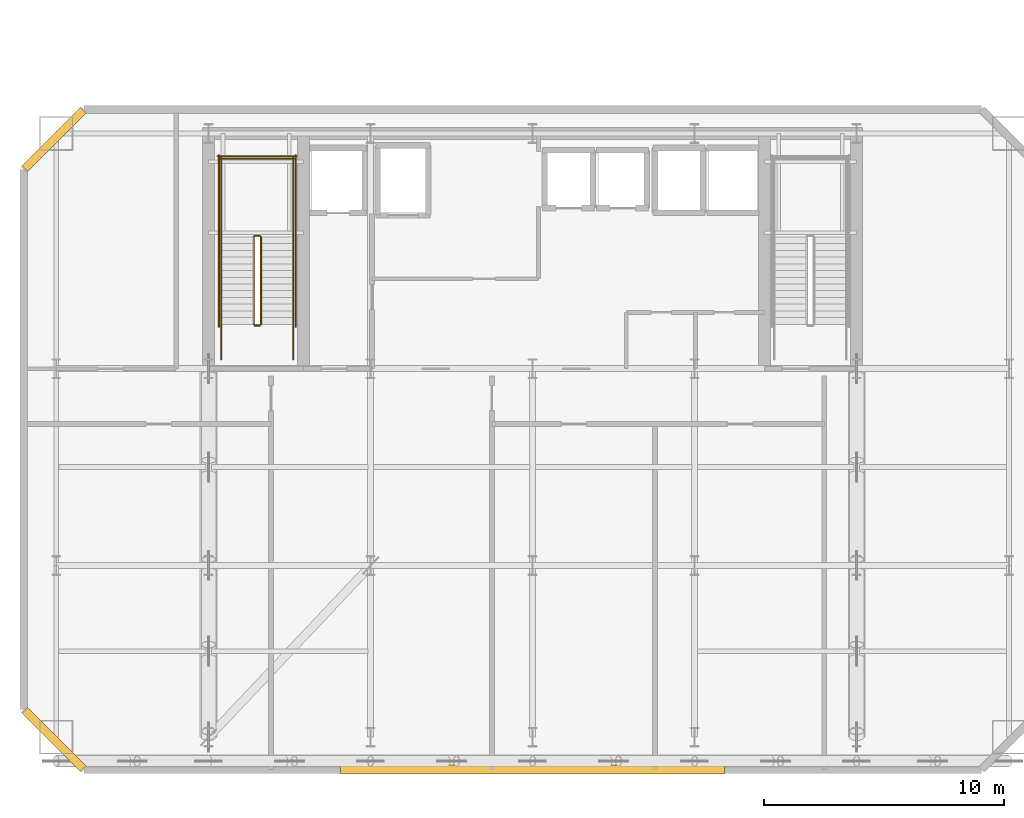
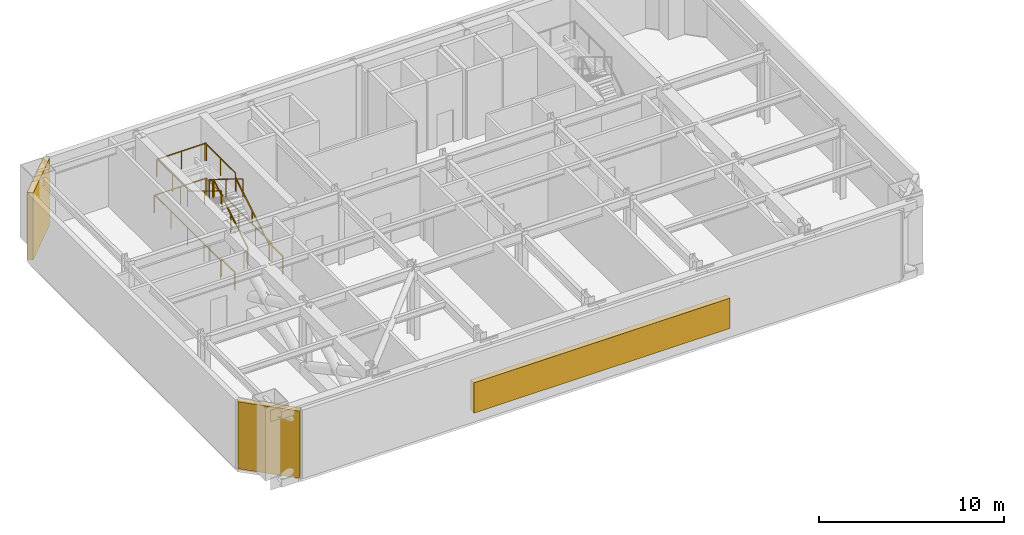
# One storey, part 12 of 15: 14 railings, 3 shading devices.
"""IFC4 building model written with IfcOpenShell, lengths in metres."""

from ifc_helpers import new_model, si_unit, direction, frame, origin, origin_2d, place, context, subcontext, project, spatial, rectangle, extrude, material, layer, layer_set, type_object, element, save


model = new_model("IFC4")

# Units and contexts
model_context = context("Model", 3, precision=1e-05, world=origin(), true_north=direction((0.0, 1.0)))
body_context = subcontext(model_context, "Body", "Model", "MODEL_VIEW")
ifc_project = project(units=[si_unit("LENGTHUNIT", "METRE"), si_unit("AREAUNIT", "SQUARE_METRE"), si_unit("VOLUMEUNIT", "CUBIC_METRE"), si_unit("PLANEANGLEUNIT", "RADIAN"), si_unit("MASSUNIT", "GRAM", prefix="KILO")], contexts=[model_context])

# Site, building, storey
site_placement = place(None, origin())
site = spatial("IfcSite", under=ifc_project, at=site_placement, CompositionType="ELEMENT")
building_placement = place(site_placement, origin())
building = spatial("IfcBuilding", under=site, at=building_placement, Name="Haevon Station Towers", CompositionType="ELEMENT")
storey_placement = place(building_placement, frame((0.0, 0.0, 138.0)))
storey = spatial("IfcBuildingStorey", under=building, at=storey_placement, Name="L37", CompositionType="ELEMENT", Elevation=138.0)

# Railings
ifc_material_1 = material(Name="Steel S355", Category="steel")
railing_type_1 = type_object("IfcRailingType", Name="GRD-STR1200", PredefinedType="GUARDRAIL", material=ifc_material_1)
railing_1_placement = place(storey_placement, frame((26.179931640625, 40.050048828125, 0.17138671875)))
element("IfcRailing", 1, at=railing_1_placement, inside=storey, type_object=railing_type_1, Name="L37 ST1 Stair Guard 1", PredefinedType="GUARDRAIL", context=body_context, shape_type="SweptSolid", body=[
    extrude(rectangle(XDim=0.048095703125, YDim=0.048095703125, at=origin_2d()), frame((0.0, 0.0, 1.17578125), z_axis=(0.0, 0.852850264322, 0.5221555579), x_axis=(-1.0, 0.0, 0.0)), (0.0, 0.0, 1.0), 4.267822265625),
    extrude(rectangle(XDim=0.0419921875, YDim=0.0419921875, at=origin_2d()), origin(), (0.0, 0.0, 1.0), 1.15185546875),
    extrude(rectangle(XDim=0.0419921875, YDim=0.0419921875, at=origin_2d()), frame((0.0, 1.81982421875, 1.1142578125)), (0.0, 0.0, 1.0), 1.15185546875),
    extrude(rectangle(XDim=0.0419921875, YDim=0.0419921875, at=origin_2d()), frame((0.0, 3.639892578125, 2.228515625)), (0.0, 0.0, 1.0), 1.15185546875),
])
railing_2_placement = place(storey_placement, frame((26.1298828125, 43.739990234375, 2.39990234375)))
element("IfcRailing", 2, at=railing_2_placement, inside=storey, type_object=railing_type_1, Name="L37 ST1 Stair Guard 2", PredefinedType="GUARDRAIL", context=body_context, shape_type="SweptSolid", body=[
    extrude(rectangle(XDim=0.048095703125, YDim=0.048095703125, at=origin_2d()), frame((0.0, 0.0, 1.17578125), z_axis=(-1.0, 0.0, 0.0), x_axis=(0.0, -1.0, 0.0)), (0.0, 0.0, 1.0), 0.199951171875),
    extrude(rectangle(XDim=0.0419921875, YDim=0.0419921875, at=origin_2d()), origin(), (0.0, 0.0, 1.0), 1.15185546875),
    extrude(rectangle(XDim=0.0419921875, YDim=0.0419921875, at=origin_2d()), frame((-0.199951171875, 0.0, 0.0)), (0.0, 0.0, 1.0), 1.15185546875),
])
for number, where, name in (
    (3, (27.530029296875, 43.68994140625, 2.39990234375), "L37 ST1 Stair Guard 3"),
    (4, (24.530029296875, 43.68994140625, 2.39990234375), "L37 ST1 Stair Guard 4"),
):
    element("IfcRailing", number, at=place(storey_placement, frame(where)), inside=storey, type_object=railing_type_1, Name=name, PredefinedType="GUARDRAIL", context=body_context, shape_type="SweptSolid", body=[
        extrude(rectangle(XDim=0.048095703125, YDim=0.048095703125, at=origin_2d()), frame((0.0, 0.0, 1.17578125), z_axis=(0.0, 1.0, 0.0), x_axis=(-1.0, 0.0, 0.0)), (0.0, 0.0, 1.0), 3.31005859375),
        extrude(rectangle(XDim=0.0419921875, YDim=0.0419921875, at=origin_2d()), origin(), (0.0, 0.0, 1.0), 1.15185546875),
        extrude(rectangle(XDim=0.0419921875, YDim=0.0419921875, at=origin_2d()), frame((0.0, 1.655029296875, 0.0)), (0.0, 0.0, 1.0), 1.15185546875),
        extrude(rectangle(XDim=0.0419921875, YDim=0.0419921875, at=origin_2d()), frame((0.0, 3.31005859375, 0.0)), (0.0, 0.0, 1.0), 1.15185546875),
    ])
railing_3_placement = place(storey_placement, frame((27.580078125, 46.949951171875, 2.39990234375)))
element("IfcRailing", 5, at=railing_3_placement, inside=storey, type_object=railing_type_1, Name="L37 ST1 Stair Guard 5", PredefinedType="GUARDRAIL", context=body_context, shape_type="SweptSolid", body=[
    extrude(rectangle(XDim=0.048095703125, YDim=0.048095703125, at=origin_2d()), frame((0.0, 0.0, 1.17578125), z_axis=(-1.0, 0.0, 0.0), x_axis=(0.0, -1.0, 0.0)), (0.0, 0.0, 1.0), 3.10009765625),
    extrude(rectangle(XDim=0.0419921875, YDim=0.0419921875, at=origin_2d()), origin(), (0.0, 0.0, 1.0), 1.15185546875),
    extrude(rectangle(XDim=0.0419921875, YDim=0.0419921875, at=origin_2d()), frame((-1.550048828125, 0.0, 0.0)), (0.0, 0.0, 1.0), 1.15185546875),
    extrude(rectangle(XDim=0.0419921875, YDim=0.0419921875, at=origin_2d()), frame((-3.10009765625, 0.0, 0.0)), (0.0, 0.0, 1.0), 1.15185546875),
])
railing_4_placement = place(storey_placement, frame((25.8798828125, 43.68994140625, 2.571533203125)))
element("IfcRailing", 6, at=railing_4_placement, inside=storey, type_object=railing_type_1, Name="L37 ST1 Stair Guard 6", PredefinedType="GUARDRAIL", context=body_context, shape_type="SweptSolid", body=[
    extrude(rectangle(XDim=0.048095703125, YDim=0.048095703125, at=origin_2d()), frame((0.0, 0.0, 1.17578125), z_axis=(0.0, -0.852850264322, 0.5221555579), x_axis=(1.0, 0.0, 0.0)), (0.0, 0.0, 1.0), 4.267822265625),
    extrude(rectangle(XDim=0.0419921875, YDim=0.0419921875, at=origin_2d()), origin(), (0.0, 0.0, 1.0), 1.15185546875),
    extrude(rectangle(XDim=0.0419921875, YDim=0.0419921875, at=origin_2d()), frame((0.0, -1.81982421875, 1.1142578125)), (0.0, 0.0, 1.0), 1.15185546875),
    extrude(rectangle(XDim=0.0419921875, YDim=0.0419921875, at=origin_2d()), frame((0.0, -3.639892578125, 2.228515625)), (0.0, 0.0, 1.0), 1.15185546875),
])
railing_5_placement = place(storey_placement, frame((26.1298828125, 40.0, 0.0)))
element("IfcRailing", 7, at=railing_5_placement, inside=storey, type_object=railing_type_1, Name="L37 ST1 Stair Guard 7", PredefinedType="GUARDRAIL", context=body_context, shape_type="SweptSolid", body=[
    extrude(rectangle(XDim=0.048095703125, YDim=0.048095703125, at=origin_2d()), frame((0.0, 0.0, 1.17578125), z_axis=(-1.0, 0.0, 0.0), x_axis=(0.0, -1.0, 0.0)), (0.0, 0.0, 1.0), 0.199951171875),
    extrude(rectangle(XDim=0.0419921875, YDim=0.0419921875, at=origin_2d()), origin(), (0.0, 0.0, 1.0), 1.15185546875),
    extrude(rectangle(XDim=0.0419921875, YDim=0.0419921875, at=origin_2d()), frame((-0.199951171875, 0.0, 0.0)), (0.0, 0.0, 1.0), 1.15185546875),
])
for number, where, name in (
    (8, (27.530029296875, 38.60009765625, 0.0), "L37 ST1 Stair Guard 8"),
    (9, (24.530029296875, 38.60009765625, 0.0), "L37 ST1 Stair Guard 9"),
):
    element("IfcRailing", number, at=place(storey_placement, frame(where)), inside=storey, type_object=railing_type_1, Name=name, PredefinedType="GUARDRAIL", context=body_context, shape_type="SweptSolid", body=[
        extrude(rectangle(XDim=0.048095703125, YDim=0.048095703125, at=origin_2d()), frame((0.0, 0.0, 1.17578125), z_axis=(0.0, 1.0, 0.0), x_axis=(-1.0, 0.0, 0.0)), (0.0, 0.0, 1.0), 1.449951171875),
        extrude(rectangle(XDim=0.0419921875, YDim=0.0419921875, at=origin_2d()), origin(), (0.0, 0.0, 1.0), 1.15185546875),
        extrude(rectangle(XDim=0.0419921875, YDim=0.0419921875, at=origin_2d()), frame((0.0, 1.449951171875, 0.0)), (0.0, 0.0, 1.0), 1.15185546875),
    ])
for number, where, name in (
    (10, (27.6298828125, 39.949951171875, 0.0), "L37 ST1 Stair Guard 10"),
    (11, (24.429931640625, 39.949951171875, 0.0), "L37 ST1 Stair Guard 11"),
):
    element("IfcRailing", number, at=place(storey_placement, frame(where)), inside=storey, type_object=railing_type_1, Name=name, PredefinedType="GUARDRAIL", context=body_context, shape_type="SweptSolid", body=[
        extrude(rectangle(XDim=0.048095703125, YDim=0.048095703125, at=origin_2d()), frame((0.0, 0.0, 1.17578125), z_axis=(0.0, 1.0, 0.0), x_axis=(-1.0, 0.0, 0.0)), (0.0, 0.0, 1.0), 7.150146484375),
        extrude(rectangle(XDim=0.0419921875, YDim=0.0419921875, at=origin_2d()), origin(), (0.0, 0.0, 1.0), 1.15185546875),
        extrude(rectangle(XDim=0.0419921875, YDim=0.0419921875, at=origin_2d()), frame((0.0, 1.78759765625, 0.0)), (0.0, 0.0, 1.0), 1.15185546875),
        extrude(rectangle(XDim=0.0419921875, YDim=0.0419921875, at=origin_2d()), frame((0.0, 3.5751953125, 0.0)), (0.0, 0.0, 1.0), 1.15185546875),
        extrude(rectangle(XDim=0.0419921875, YDim=0.0419921875, at=origin_2d()), frame((0.0, 5.362548828125, 0.0)), (0.0, 0.0, 1.0), 1.15185546875),
        extrude(rectangle(XDim=0.0419921875, YDim=0.0419921875, at=origin_2d()), frame((0.0, 7.150146484375, 0.0)), (0.0, 0.0, 1.0), 1.15185546875),
    ])
railing_6_placement = place(storey_placement, frame((27.679931640625, 47.050048828125, 0.0)))
element("IfcRailing", 12, at=railing_6_placement, inside=storey, type_object=railing_type_1, Name="L37 ST1 Stair Guard 12", PredefinedType="GUARDRAIL", context=body_context, shape_type="SweptSolid", body=[
    extrude(rectangle(XDim=0.048095703125, YDim=0.048095703125, at=origin_2d()), frame((0.0, 0.0, 1.17578125), z_axis=(-1.0, 0.0, 0.0), x_axis=(0.0, -1.0, 0.0)), (0.0, 0.0, 1.0), 3.300048828125),
    extrude(rectangle(XDim=0.0419921875, YDim=0.0419921875, at=origin_2d()), origin(), (0.0, 0.0, 1.0), 1.15185546875),
    extrude(rectangle(XDim=0.0419921875, YDim=0.0419921875, at=origin_2d()), frame((-1.64990234375, 0.0, 0.0)), (0.0, 0.0, 1.0), 1.15185546875),
    extrude(rectangle(XDim=0.0419921875, YDim=0.0419921875, at=origin_2d()), frame((-3.300048828125, 0.0, 0.0)), (0.0, 0.0, 1.0), 1.15185546875),
])
railing_type_2 = type_object("IfcRailingType", Name="HND-STR900", PredefinedType="HANDRAIL", material=ifc_material_1)
railing_7_placement = place(storey_placement, frame((27.530029296875, 40.050048828125, 0.17138671875)))
element("IfcRailing", 13, at=railing_7_placement, inside=storey, type_object=railing_type_2, Name="L37 ST1 Stair Handrail 1", PredefinedType="HANDRAIL", context=body_context, shape_type="SweptSolid", body=[
    extrude(rectangle(XDim=0.048095703125, YDim=0.048095703125, at=origin_2d()), frame((0.0, 0.0, 0.8759765625), z_axis=(0.0, 0.852850264322, 0.5221555579), x_axis=(-1.0, 0.0, 0.0)), (0.0, 0.0, 1.0), 4.267822265625),
    extrude(rectangle(XDim=0.0419921875, YDim=0.0419921875, at=origin_2d()), origin(), (0.0, 0.0, 1.0), 0.851806640625),
    extrude(rectangle(XDim=0.0419921875, YDim=0.0419921875, at=origin_2d()), frame((0.0, 1.81982421875, 1.1142578125)), (0.0, 0.0, 1.0), 0.851806640625),
    extrude(rectangle(XDim=0.0419921875, YDim=0.0419921875, at=origin_2d()), frame((0.0, 3.639892578125, 2.228515625)), (0.0, 0.0, 1.0), 0.851806640625),
])
railing_8_placement = place(storey_placement, frame((24.530029296875, 43.68994140625, 2.571533203125)))
element("IfcRailing", 14, at=railing_8_placement, inside=storey, type_object=railing_type_2, Name="L37 ST1 Stair Handrail 2", PredefinedType="HANDRAIL", context=body_context, shape_type="SweptSolid", body=[
    extrude(rectangle(XDim=0.048095703125, YDim=0.048095703125, at=origin_2d()), frame((0.0, 0.0, 0.8759765625), z_axis=(0.0, -0.852850264322, 0.5221555579), x_axis=(1.0, 0.0, 0.0)), (0.0, 0.0, 1.0), 4.267822265625),
    extrude(rectangle(XDim=0.0419921875, YDim=0.0419921875, at=origin_2d()), origin(), (0.0, 0.0, 1.0), 0.851806640625),
    extrude(rectangle(XDim=0.0419921875, YDim=0.0419921875, at=origin_2d()), frame((0.0, -1.81982421875, 1.1142578125)), (0.0, 0.0, 1.0), 0.851806640625),
    extrude(rectangle(XDim=0.0419921875, YDim=0.0419921875, at=origin_2d()), frame((0.0, -3.639892578125, 2.228515625)), (0.0, 0.0, 1.0), 0.851806640625),
])

# Shading devices
ifc_material_2 = material(Name="Anodised aluminium 6063-T6", Category="aluminium")
ifc_layer_1 = layer(ifc_material_2, 0.1201171875)
ifc_layer_set_1 = layer_set([ifc_layer_1], Name="Anodised aluminium 6063-T6")
shading_device_type_1 = type_object("IfcShadingDeviceType", Name="SHD-REF-LOUVRE", PredefinedType="USERDEFINED", material=ifc_layer_set_1)
shading_device_placement = place(storey_placement, frame((37.5, 21.5, 0.60009765625), z_axis=(0.0, 0.0, 1.0), x_axis=(1.0, 0.0, 0.0)))
element("IfcShadingDevice", 15, at=shading_device_placement, inside=storey, type_object=shading_device_type_1, Name="Tower 1 L37 Refuge Plant Weather Louvre", ObjectType="LOUVRE", PredefinedType="USERDEFINED", context=body_context, shape_type="SweptSolid", body=[
    extrude(rectangle(XDim=16.0, YDim=0.360107421875, at=origin_2d()), origin(), (0.0, 0.0, 1.0), 2.0),
])
ifc_layer_2 = layer(ifc_material_2, 0.139892578125)
ifc_layer_set_2 = layer_set([ifc_layer_2], Name="Anodised aluminium 6063-T6")
shading_device_type_2 = type_object("IfcShadingDeviceType", Name="SHD-WIND-BAFFLE", PredefinedType="SHUTTER", material=ifc_layer_set_2)
for number, where, z_axis, x_axis, name in (
    (16, (17.550048828125, 22.75, 0.0498046875), (0.0, 0.0, 1.0), (-0.707106781187, 0.707106781187, 0.0), "Tower 1 L37 Wind-Corner Aerofoil Baffle SWC"),
    (17, (17.550048828125, 47.75, 0.0498046875), (0.0, 0.0, 1.0), (0.707106781187, 0.707106781187, 0.0), "Tower 1 L37 Wind-Corner Aerofoil Baffle NWC"),
):
    element("IfcShadingDevice", number, at=place(storey_placement, frame(where, z_axis=z_axis, x_axis=x_axis)), inside=storey, type_object=shading_device_type_2, Name=name, PredefinedType="SHUTTER", context=body_context, shape_type="SweptSolid", body=[
        extrude(rectangle(XDim=3.435546875, YDim=0.340087890625, at=origin_2d()), origin(), (0.0, 0.0, 1.0), 4.429931640625),
    ])

save(model, "model.ifc")
